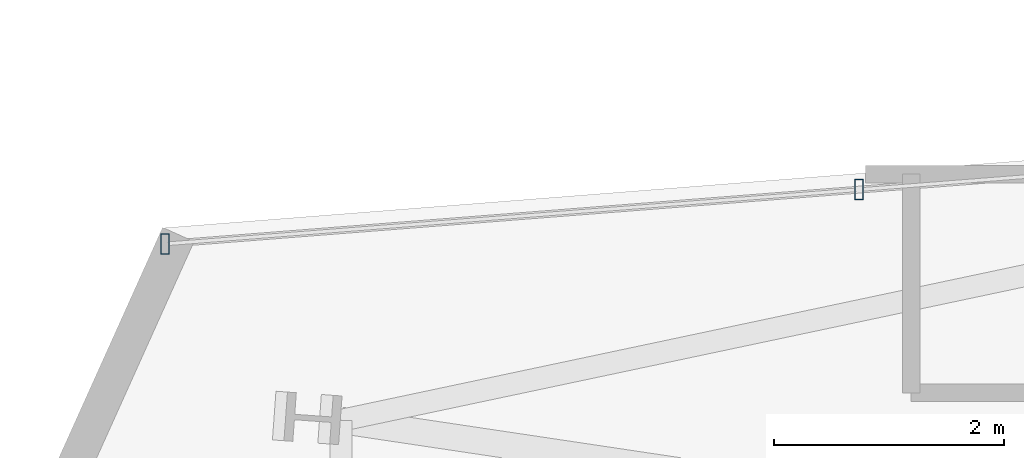
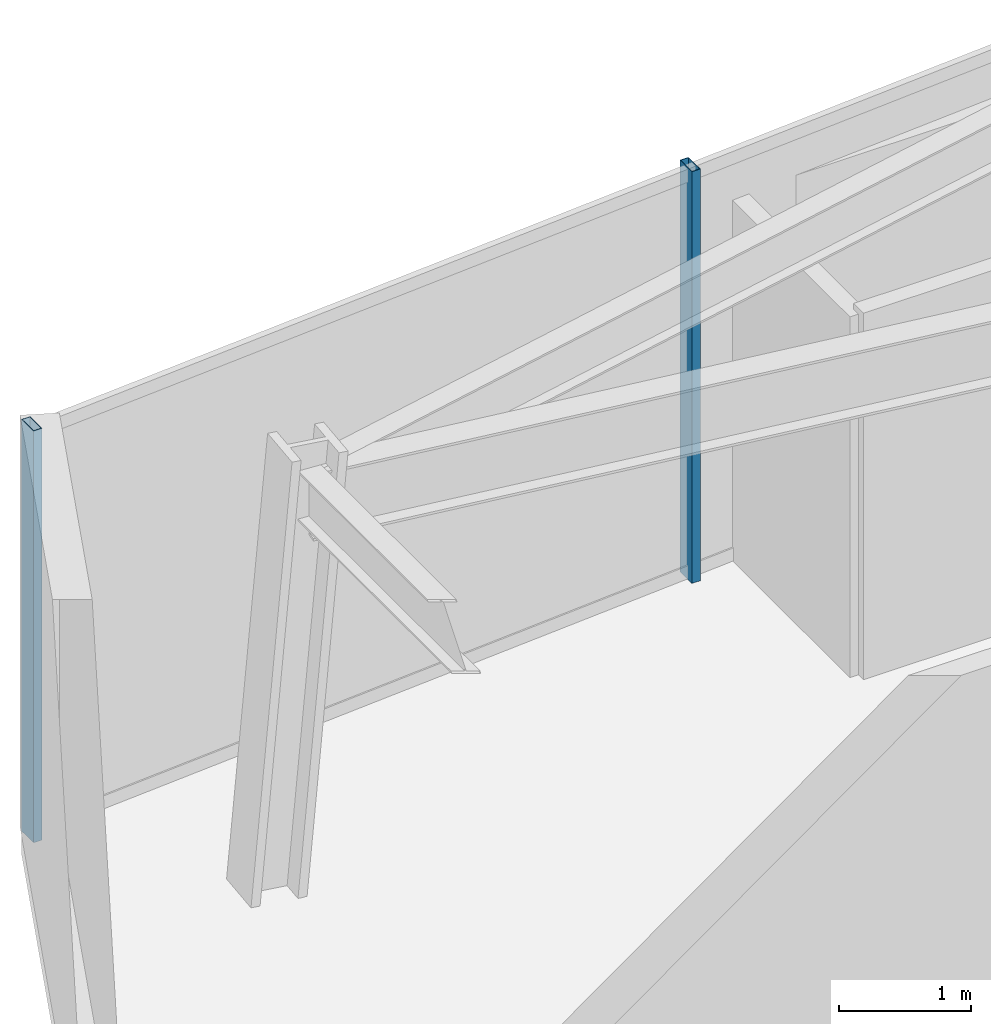
# One storey, part 9 of 31: 2 members, 1 element without a shape of its own.
"""IFC4 building model written with IfcOpenShell, lengths in metres."""

from ifc_helpers import new_model, si_unit, direction, frame, origin, origin_2d, place, context, subcontext, project, spatial, hollow_rectangle, extrude, material, layer, layer_set, material_profile, profile_set, type_object, element, aggregate, save


model = new_model("IFC4")

# Units and contexts
model_context = context("Model", 3, precision=1e-05, world=origin(), true_north=direction((0.0, 1.0)))
body_context = subcontext(model_context, "Body", "Model", "MODEL_VIEW")
ifc_project = project(units=[si_unit("LENGTHUNIT", "METRE"), si_unit("AREAUNIT", "SQUARE_METRE"), si_unit("VOLUMEUNIT", "CUBIC_METRE"), si_unit("PLANEANGLEUNIT", "RADIAN"), si_unit("MASSUNIT", "GRAM", prefix="KILO")], contexts=[model_context])

# Site, building, storey
site_placement = place(None, origin())
site = spatial("IfcSite", under=ifc_project, at=site_placement, CompositionType="ELEMENT")
building_placement = place(site_placement, origin())
building = spatial("IfcBuilding", under=site, at=building_placement, Name="Veymaron Broadcast Tower", CompositionType="ELEMENT")
storey_placement = place(building_placement, frame((0.0, 0.0, 70.199951171875)))
storey = spatial("IfcBuildingStorey", under=building, at=storey_placement, Name="L15", CompositionType="ELEMENT", Elevation=70.199951171875)

# Curtain wall, members
ifc_material_1 = material(Name="Anodised aluminium AA 6063-T6 and laminated low-E dark glass", Category="aluminium")
ifc_layer = layer(ifc_material_1, 0.179931640625)
ifc_layer_set = layer_set([ifc_layer], Name="Anodised aluminium AA 6063-T6 and laminated low-E dark glass")
curtain_wall_type = type_object("IfcCurtainWallType", Name="CW-SYS-02", PredefinedType="NOTDEFINED", material=ifc_layer_set)
curtain_wall_placement = place(storey_placement, origin())
curtain_wall = element("IfcCurtainWall", 1, at=curtain_wall_placement, inside=storey, type_object=curtain_wall_type, Name="L15 dark-glass curtain wall CW-L15-E11-1", PredefinedType="NOTDEFINED")
ifc_material_2 = material(Name="Anodised aluminium AA 6063-T6", Category="aluminium")
ifc_material_profile = material_profile(ifc_material_2, hollow_rectangle(XDim=0.074951171875, YDim=0.179931640625, WallThickness=0.0048828125, at=origin_2d()), Name="AL180X75X5")
ifc_profile_set = profile_set([ifc_material_profile], Name="Anodised aluminium AA 6063-T6")
member_type = type_object("IfcMemberType", Name="CW-MUL-02", PredefinedType="MULLION", material=ifc_profile_set)
member_1_placement = place(storey_placement, frame((13.546875, 29.316162109375, 0.0), z_axis=(0.0, 0.0, 1.0), x_axis=(1.0, 0.0, 0.0)))
member_1 = element("IfcMember", 2, at=member_1_placement, type_object=member_type, Name="CW-L15-E11-1 mullion 2", PredefinedType="MULLION", context=body_context, shape_type="SweptSolid", body=[
    extrude(hollow_rectangle(XDim=0.074951171875, YDim=0.179931640625, WallThickness=0.0048828125, at=origin_2d()), origin(), (0.0, 0.0, 1.0), 3.81005859375),
])
member_2_placement = place(storey_placement, frame((7.510986328125, 28.84375, 0.0), z_axis=(0.0, 0.0, 1.0), x_axis=(1.0, 0.0, 0.0)))
member_2 = element("IfcMember", 3, at=member_2_placement, type_object=member_type, Name="CW-L15-E11-1 mullion 3", PredefinedType="MULLION", context=body_context, shape_type="SweptSolid", body=[
    extrude(hollow_rectangle(XDim=0.074951171875, YDim=0.179931640625, WallThickness=0.0048828125, at=origin_2d()), origin(), (0.0, 0.0, 1.0), 3.81005859375),
])
aggregate(curtain_wall, [member_1, member_2])

save(model, "model.ifc")
